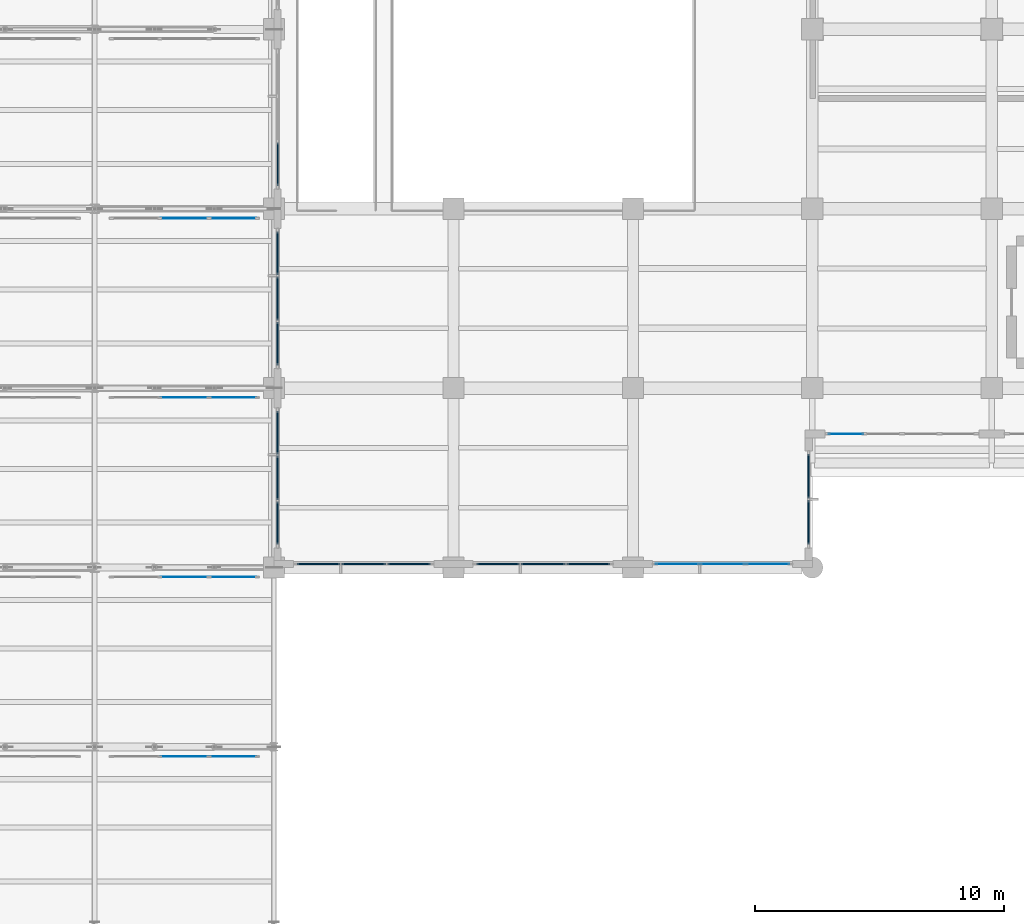
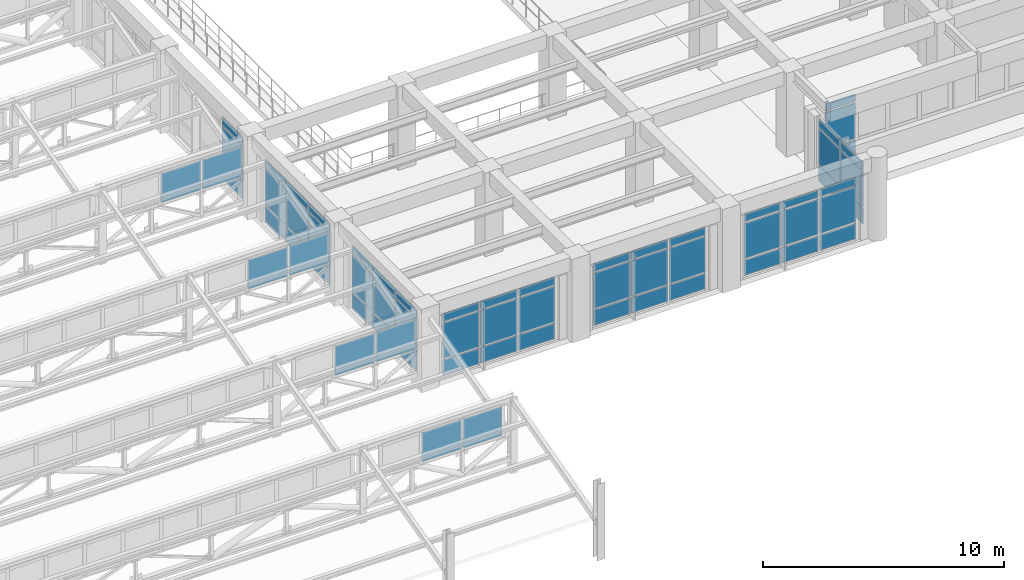
# One storey, part 65 of 98: 65 plates, 12 elements without a shape of their own.
"""IFC4 building model written with IfcOpenShell, lengths in metres."""

import ifcopenshell
import ifcopenshell.guid

model = None  # the IFC model being written
_history = None  # IfcOwnerHistory: only IFC2X3 demands one
_inside = {}  # id of a spatial element -> (the spatial element, [elements in it])
_under = {}  # id of a project, library or spatial element -> (it, [spatial elements below it])
_declared = {}  # id of a project -> (the project, [libraries it declares])
_typed = {}  # id of a type object -> (the type object, [elements of that type])
_made_of = {}  # id of a material, layer set ... -> (it, [elements and type objects made of it])


def new_model(schema):
    """Start an empty IFC model of exactly this schema.

    Asked for "IFC4X3", IfcOpenShell would pick the latest addendum, in which some entities
    have other attributes; the version numbers below select the first issue.
    IFC2X3 requires an IfcOwnerHistory on every rooted entity: one is made here for all.
    """
    global model, _history
    if schema == "IFC4X3":
        model = ifcopenshell.file(schema_version=(4, 3, 0, 0))
    else:
        model = ifcopenshell.file(schema=schema)
    _inside.clear()
    _under.clear()
    _declared.clear()
    _typed.clear()
    _made_of.clear()
    _history = None
    if model.schema == "IFC2X3":
        org = make("IfcOrganization", Name="unknown")
        user = make(
            "IfcPersonAndOrganization",
            ThePerson=make("IfcPerson", FamilyName="unknown"),
            TheOrganization=org,
        )
        app = make(
            "IfcApplication",
            ApplicationDeveloper=org,
            Version="unknown",
            ApplicationFullName="unknown",
            ApplicationIdentifier="unknown",
        )
        _history = make(
            "IfcOwnerHistory",
            OwningUser=user,
            OwningApplication=app,
            ChangeAction="ADDED",
            CreationDate=0,
        )
    return model


def make(cls, **values):
    """One entity of the class cls with the attributes given. An attribute that is None is left unset."""
    return model.create_entity(
        cls, **{name: value for name, value in values.items() if value is not None}
    )


def rooted(cls, **values):
    """An entity with a GlobalId (a new one), such as an element, a storey or a relation."""
    return make(cls, GlobalId=ifcopenshell.guid.new(), OwnerHistory=_history, **values)


def si_unit(unit_type, name, prefix=None):
    """IfcSIUnit, for example si_unit("LENGTHUNIT", "METRE", prefix="MILLI")."""
    return make("IfcSIUnit", UnitType=unit_type, Prefix=prefix, Name=name)


def assignment(units):
    """IfcUnitAssignment: the units of a project."""
    return None if units is None else make("IfcUnitAssignment", Units=units)


def point(xyz):
    """IfcCartesianPoint."""
    return None if xyz is None else make("IfcCartesianPoint", Coordinates=xyz)


def direction(xyz):
    """IfcDirection."""
    return None if xyz is None else make("IfcDirection", DirectionRatios=xyz)


def frame(location, z_axis=None, x_axis=None):
    """IfcAxis2Placement3D, a coordinate frame: its origin and axes. An axis left out is left unset."""
    return make(
        "IfcAxis2Placement3D",
        Location=point(location),
        Axis=direction(z_axis),
        RefDirection=direction(x_axis),
    )


def frame_2d(location, x_axis=None):
    """IfcAxis2Placement2D, a coordinate frame in the plane: its origin and x axis."""
    return make(
        "IfcAxis2Placement2D", Location=point(location), RefDirection=direction(x_axis)
    )


def origin():
    """The frame at (0, 0, 0) with its axes left unset."""
    return frame((0.0, 0.0, 0.0))


def origin_2d():
    """The frame at (0, 0) in the plane with its x axis left unset."""
    return frame_2d((0.0, 0.0))


def place(relative_to, where):
    """IfcLocalPlacement: puts the frame where relative to a parent placement (None: the world)."""
    return make(
        "IfcLocalPlacement", PlacementRelTo=relative_to, RelativePlacement=where
    )


def context(
    kind, dimensions, precision=None, world=None, true_north=None, identifier=None
):
    """IfcGeometricRepresentationContext, for example the 3D "Model" context."""
    return make(
        "IfcGeometricRepresentationContext",
        ContextIdentifier=identifier,
        ContextType=kind,
        CoordinateSpaceDimension=dimensions,
        Precision=precision,
        WorldCoordinateSystem=world,
        TrueNorth=true_north,
    )


def subcontext(parent, identifier, kind, view, scale=None):
    """IfcGeometricRepresentationSubContext, for example "Body" below "Model"."""
    return make(
        "IfcGeometricRepresentationSubContext",
        ContextIdentifier=identifier,
        ContextType=kind,
        ParentContext=parent,
        TargetScale=scale,
        TargetView=view,
    )


def project(units=None, contexts=None):
    """IfcProject with its units and contexts."""
    return rooted(
        "IfcProject",
        Name="project",
        RepresentationContexts=contexts,
        UnitsInContext=assignment(units),
    )


def spatial(cls, under=None, at=None, **own):
    """A site, building, storey or space (cls), placed at a placement, below another one or the project."""
    s = rooted(cls, ObjectPlacement=at, **own)
    if under is not None:
        _under.setdefault(under.id(), (under, []))[1].append(s)
    return s


def profile(cls, at=None, kind="AREA", **sizes):
    """A parametric profile (cls). Its sizes go by their IFC names, for example OverallWidth=200.0."""
    return make(cls, ProfileType=kind, Position=at, **sizes)


def rectangle(**sizes):
    """IfcRectangleProfileDef."""
    return profile("IfcRectangleProfileDef", **sizes)


def extrude(swept, where, along, depth):
    """IfcExtrudedAreaSolid: the profile swept, set in the frame where, extruded along a direction by depth."""
    return make(
        "IfcExtrudedAreaSolid",
        SweptArea=swept,
        Position=where,
        ExtrudedDirection=direction(along),
        Depth=depth,
    )


def shape(context_of_items, identifier, shape_type, items):
    """IfcShapeRepresentation: the items that make up one representation, for example the "Body"."""
    return make(
        "IfcShapeRepresentation",
        ContextOfItems=context_of_items,
        RepresentationIdentifier=identifier,
        RepresentationType=shape_type,
        Items=items,
    )


def material(Name=None, Category=None):
    """IfcMaterial."""
    return make("IfcMaterial", Name=Name, Category=Category)


def layer(
    of_material, thickness, ventilated=None, Name=None, Category=None, Priority=None
):
    """IfcMaterialLayer: one layer of a wall or slab, of a material (None: an air gap)."""
    return make(
        "IfcMaterialLayer",
        Material=of_material,
        LayerThickness=thickness,
        IsVentilated=ventilated,
        Name=Name,
        Category=Category,
        Priority=Priority,
    )


def layer_set(layers, Name=None):
    """IfcMaterialLayerSet."""
    return make("IfcMaterialLayerSet", MaterialLayers=layers, LayerSetName=Name)


def made_of(thing, what):
    """Note that an element or type object is made of a material, layer set ...; save() writes the relation."""
    if what is not None:
        _made_of.setdefault(what.id(), (what, []))[1].append(thing)
    return thing


def type_object(cls, material=None, **own):
    """A type object (cls), such as IfcWallType, which elements share."""
    return made_of(rooted(cls, **own), material)


def element(
    cls,
    number,
    at=None,
    inside=None,
    cuts=None,
    type_object=None,
    material=None,
    context=None,
    identifier="Body",
    shape_type=None,
    held_by="IfcProductDefinitionShape",
    body=None,
    shapes=None,
    **own,
):
    """One element of the class cls, such as IfcWall. Its Tag is "e" and its number.

    at: its placement. inside: the storey or other place that contains it. cuts: it is an
    opening in that element (IfcRelVoidsElement). A single representation is given by context,
    identifier, shape_type and body (its items); several are given by shapes. held_by: the class
    of the entity that holds the representations. save() writes the other relations.
    """
    e = rooted(cls, Tag="e%d" % number, ObjectPlacement=at, **own)
    if body is not None:
        shapes = [shape(context, identifier, shape_type, body)]
    if shapes is not None:
        e.Representation = make(held_by, Representations=shapes)
    if inside is not None:
        _inside.setdefault(inside.id(), (inside, []))[1].append(e)
    if cuts is not None:
        rooted(
            "IfcRelVoidsElement", RelatingBuildingElement=cuts, RelatedOpeningElement=e
        )
    if type_object is not None:
        _typed.setdefault(type_object.id(), (type_object, []))[1].append(e)
    return made_of(e, material)


def aggregate(whole, parts):
    """IfcRelAggregates: a whole, such as a stair, and the parts it consists of."""
    return rooted("IfcRelAggregates", RelatingObject=whole, RelatedObjects=parts)


def save(model, path):
    """Write the relations noted so far, then the file.

    IfcRelAggregates (storeys below a building ...), IfcRelContainedInSpatialStructure (elements
    in a storey), IfcRelDefinesByType, IfcRelAssociatesMaterial and IfcRelDeclares: one each for
    every whole, place, type object, material and project.
    """
    for whole, parts in _under.values():
        aggregate(whole, parts)
    for where, things in _inside.values():
        rooted(
            "IfcRelContainedInSpatialStructure",
            RelatedElements=things,
            RelatingStructure=where,
        )
    for kind, things in _typed.values():
        rooted("IfcRelDefinesByType", RelatedObjects=things, RelatingType=kind)
    for what, things in _made_of.values():
        rooted("IfcRelAssociatesMaterial", RelatedObjects=things, RelatingMaterial=what)
    for by, libraries in _declared.values():
        rooted("IfcRelDeclares", RelatingContext=by, RelatedDefinitions=libraries)
    model.write(path)


model = new_model("IFC4")

# Units and contexts
model_context = context("Model", 3, precision=1e-05, world=origin(), true_north=direction((0.0, 1.0)))
body_context = subcontext(model_context, "Body", "Model", "MODEL_VIEW")
ifc_project = project(units=[si_unit("LENGTHUNIT", "METRE"), si_unit("AREAUNIT", "SQUARE_METRE"), si_unit("VOLUMEUNIT", "CUBIC_METRE"), si_unit("PLANEANGLEUNIT", "RADIAN"), si_unit("MASSUNIT", "GRAM", prefix="KILO")], contexts=[model_context])

# Site, building, storey
site_placement = place(None, origin())
site = spatial("IfcSite", under=ifc_project, at=site_placement, CompositionType="ELEMENT")
building_placement = place(site_placement, origin())
building = spatial("IfcBuilding", under=site, at=building_placement, Name="Solenvale Faculty of Natural Sciences", CompositionType="ELEMENT")
storey_placement = place(building_placement, frame((0.0, 0.0, 9.0)))
storey = spatial("IfcBuildingStorey", under=building, at=storey_placement, Name="L02", CompositionType="ELEMENT", Elevation=9.0)

# Curtain wall, plates
ifc_material_1 = material(Name="Anodised bronze aluminium", Category="aluminium")
ifc_layer_1 = layer(ifc_material_1, 0.1650390625)
ifc_layer_set_1 = layer_set([ifc_layer_1], Name="Anodised bronze aluminium")
curtain_wall_type_1 = type_object("IfcCurtainWallType", Name="CW-SAW-CLR", PredefinedType="USERDEFINED", material=ifc_layer_set_1)
curtain_wall_1_placement = place(storey_placement, origin())
curtain_wall_1 = element("IfcCurtainWall", 1, at=curtain_wall_1_placement, inside=storey, type_object=curtain_wall_type_1, Name="L02 Curtain Wall SAW-V1-CW-1-2", ObjectType="NORTH LIGHT CLERESTORY", PredefinedType="USERDEFINED")
ifc_material_2 = material(Name="North-light skylight glass", Category="glass")
ifc_layer_2 = layer(ifc_material_2, 0.028076171875)
ifc_layer_set_2 = layer_set([ifc_layer_2], Name="North-light skylight glass")
plate_type_1 = type_object("IfcPlateType", Name="CWP-PNL-28", PredefinedType="CURTAIN_PANEL", material=ifc_layer_set_2)
plate_1_placement = place(storey_placement, frame((34.357177734375, 6.820068359375, 2.294921875), z_axis=(0.0, 0.0, 1.0), x_axis=(-1.0, 0.0, 0.0)))
plate_1 = element("IfcPlate", 2, at=plate_1_placement, type_object=plate_type_1, Name="CW-05 panel 1.1", PredefinedType="CURTAIN_PANEL", context=body_context, shape_type="SweptSolid", body=[
    extrude(rectangle(XDim=1.875732421875, YDim=0.028076171875, at=origin_2d()), origin(), (0.0, 0.0, 1.0), 1.47998046875),
])
plate_2_placement = place(storey_placement, frame((32.39990234375, 6.820068359375, 2.294921875), z_axis=(0.0, 0.0, 1.0), x_axis=(-1.0, 0.0, 0.0)))
plate_2 = element("IfcPlate", 3, at=plate_2_placement, type_object=plate_type_1, Name="CW-05 panel 2.1", PredefinedType="CURTAIN_PANEL", context=body_context, shape_type="SweptSolid", body=[
    extrude(rectangle(XDim=1.908447265625, YDim=0.028076171875, at=origin_2d()), origin(), (0.0, 0.0, 1.0), 1.47998046875),
])
aggregate(curtain_wall_1, [plate_1, plate_2])

curtain_wall_2_placement = place(storey_placement, origin())
curtain_wall_2 = element("IfcCurtainWall", 4, at=curtain_wall_2_placement, inside=storey, type_object=curtain_wall_type_1, Name="L02 Curtain Wall SAW-V1-CW-2-2", ObjectType="NORTH LIGHT CLERESTORY", PredefinedType="USERDEFINED")
plate_3_placement = place(storey_placement, frame((34.357177734375, 14.02001953125, 2.294921875), z_axis=(0.0, 0.0, 1.0), x_axis=(-1.0, 0.0, 0.0)))
plate_3 = element("IfcPlate", 5, at=plate_3_placement, type_object=plate_type_1, Name="CW-05 panel 1.1", PredefinedType="CURTAIN_PANEL", context=body_context, shape_type="SweptSolid", body=[
    extrude(rectangle(XDim=1.875732421875, YDim=0.028076171875, at=origin_2d()), origin(), (0.0, 0.0, 1.0), 1.47998046875),
])
plate_4_placement = place(storey_placement, frame((32.39990234375, 14.02001953125, 2.294921875), z_axis=(0.0, 0.0, 1.0), x_axis=(-1.0, 0.0, 0.0)))
plate_4 = element("IfcPlate", 6, at=plate_4_placement, type_object=plate_type_1, Name="CW-05 panel 2.1", PredefinedType="CURTAIN_PANEL", context=body_context, shape_type="SweptSolid", body=[
    extrude(rectangle(XDim=1.908447265625, YDim=0.028076171875, at=origin_2d()), origin(), (0.0, 0.0, 1.0), 1.47998046875),
])
aggregate(curtain_wall_2, [plate_3, plate_4])

curtain_wall_3_placement = place(storey_placement, origin())
curtain_wall_3 = element("IfcCurtainWall", 7, at=curtain_wall_3_placement, inside=storey, type_object=curtain_wall_type_1, Name="L02 Curtain Wall SAW-V1-CW-3-2", ObjectType="NORTH LIGHT CLERESTORY", PredefinedType="USERDEFINED")
plate_5_placement = place(storey_placement, frame((34.357177734375, 21.219970703125, 2.294921875), z_axis=(0.0, 0.0, 1.0), x_axis=(-1.0, 0.0, 0.0)))
plate_5 = element("IfcPlate", 8, at=plate_5_placement, type_object=plate_type_1, Name="CW-05 panel 1.1", PredefinedType="CURTAIN_PANEL", context=body_context, shape_type="SweptSolid", body=[
    extrude(rectangle(XDim=1.875732421875, YDim=0.028076171875, at=origin_2d()), origin(), (0.0, 0.0, 1.0), 1.47998046875),
])
plate_6_placement = place(storey_placement, frame((32.39990234375, 21.219970703125, 2.294921875), z_axis=(0.0, 0.0, 1.0), x_axis=(-1.0, 0.0, 0.0)))
plate_6 = element("IfcPlate", 9, at=plate_6_placement, type_object=plate_type_1, Name="CW-05 panel 2.1", PredefinedType="CURTAIN_PANEL", context=body_context, shape_type="SweptSolid", body=[
    extrude(rectangle(XDim=1.908447265625, YDim=0.028076171875, at=origin_2d()), origin(), (0.0, 0.0, 1.0), 1.47998046875),
])
aggregate(curtain_wall_3, [plate_5, plate_6])

curtain_wall_4_placement = place(storey_placement, origin())
curtain_wall_4 = element("IfcCurtainWall", 10, at=curtain_wall_4_placement, inside=storey, type_object=curtain_wall_type_1, Name="L02 Curtain Wall SAW-V1-CW-4-2", ObjectType="NORTH LIGHT CLERESTORY", PredefinedType="USERDEFINED")
plate_7_placement = place(storey_placement, frame((34.357177734375, 28.419921875, 2.294921875), z_axis=(0.0, 0.0, 1.0), x_axis=(-1.0, 0.0, 0.0)))
plate_7 = element("IfcPlate", 11, at=plate_7_placement, type_object=plate_type_1, Name="CW-05 panel 1.1", PredefinedType="CURTAIN_PANEL", context=body_context, shape_type="SweptSolid", body=[
    extrude(rectangle(XDim=1.875732421875, YDim=0.028076171875, at=origin_2d()), origin(), (0.0, 0.0, 1.0), 1.47998046875),
])
plate_8_placement = place(storey_placement, frame((32.39990234375, 28.419921875, 2.294921875), z_axis=(0.0, 0.0, 1.0), x_axis=(-1.0, 0.0, 0.0)))
plate_8 = element("IfcPlate", 12, at=plate_8_placement, type_object=plate_type_1, Name="CW-05 panel 2.1", PredefinedType="CURTAIN_PANEL", context=body_context, shape_type="SweptSolid", body=[
    extrude(rectangle(XDim=1.908447265625, YDim=0.028076171875, at=origin_2d()), origin(), (0.0, 0.0, 1.0), 1.47998046875),
])
aggregate(curtain_wall_4, [plate_7, plate_8])

ifc_layer_3 = layer(ifc_material_1, 0.215087890625)
ifc_layer_set_3 = layer_set([ifc_layer_3], Name="Anodised bronze aluminium")
curtain_wall_type_2 = type_object("IfcCurtainWallType", Name="CW-ATR-UNIT", PredefinedType="USERDEFINED", material=ifc_layer_set_3)
curtain_wall_5_placement = place(storey_placement, origin())
curtain_wall_5 = element("IfcCurtainWall", 13, at=curtain_wall_5_placement, inside=storey, type_object=curtain_wall_type_2, Name="L02 Curtain Wall CW-L02-P1-E10-B3", ObjectType="UNITISED CURTAIN WALL", PredefinedType="USERDEFINED")
plate_9_placement = place(storey_placement, frame((52.185302734375, 14.54248046875, 0.074951171875), z_axis=(0.0, 0.0, 1.0), x_axis=(1.0, 0.0, 0.0)))
plate_9 = element("IfcPlate", 14, at=plate_9_placement, type_object=plate_type_1, Name="CW-01 panel 1.1", PredefinedType="CURTAIN_PANEL", context=body_context, shape_type="SweptSolid", body=[
    extrude(rectangle(XDim=1.720947265625, YDim=0.028076171875, at=origin_2d()), origin(), (0.0, 0.0, 1.0), 0.78759765625),
])
plate_10_placement = place(storey_placement, frame((52.185302734375, 14.54248046875, 0.9375), z_axis=(0.0, 0.0, 1.0), x_axis=(1.0, 0.0, 0.0)))
plate_10 = element("IfcPlate", 15, at=plate_10_placement, type_object=plate_type_1, Name="CW-01 panel 1.2", PredefinedType="CURTAIN_PANEL", context=body_context, shape_type="SweptSolid", body=[
    extrude(rectangle(XDim=1.720947265625, YDim=0.028076171875, at=origin_2d()), origin(), (0.0, 0.0, 1.0), 1.784912109375),
])
plate_11_placement = place(storey_placement, frame((52.185302734375, 14.54248046875, 2.79736328125), z_axis=(0.0, 0.0, 1.0), x_axis=(1.0, 0.0, 0.0)))
plate_11 = element("IfcPlate", 16, at=plate_11_placement, type_object=plate_type_1, Name="CW-01 panel 1.3", PredefinedType="CURTAIN_PANEL", context=body_context, shape_type="SweptSolid", body=[
    extrude(rectangle(XDim=1.720947265625, YDim=0.028076171875, at=origin_2d()), origin(), (0.0, 0.0, 1.0), 0.387451171875),
])
plate_12_placement = place(storey_placement, frame((54.0, 14.54248046875, 0.074951171875), z_axis=(0.0, 0.0, 1.0), x_axis=(1.0, 0.0, 0.0)))
plate_12 = element("IfcPlate", 17, at=plate_12_placement, type_object=plate_type_1, Name="CW-01 panel 2.1", PredefinedType="CURTAIN_PANEL", context=body_context, shape_type="SweptSolid", body=[
    extrude(rectangle(XDim=1.75830078125, YDim=0.028076171875, at=origin_2d()), origin(), (0.0, 0.0, 1.0), 0.78759765625),
])
plate_13_placement = place(storey_placement, frame((54.0, 14.54248046875, 0.9375), z_axis=(0.0, 0.0, 1.0), x_axis=(1.0, 0.0, 0.0)))
plate_13 = element("IfcPlate", 18, at=plate_13_placement, type_object=plate_type_1, Name="CW-01 panel 2.2", PredefinedType="CURTAIN_PANEL", context=body_context, shape_type="SweptSolid", body=[
    extrude(rectangle(XDim=1.75830078125, YDim=0.028076171875, at=origin_2d()), origin(), (0.0, 0.0, 1.0), 1.784912109375),
])
plate_14_placement = place(storey_placement, frame((54.0, 14.54248046875, 2.79736328125), z_axis=(0.0, 0.0, 1.0), x_axis=(1.0, 0.0, 0.0)))
plate_14 = element("IfcPlate", 19, at=plate_14_placement, type_object=plate_type_1, Name="CW-01 panel 2.3", PredefinedType="CURTAIN_PANEL", context=body_context, shape_type="SweptSolid", body=[
    extrude(rectangle(XDim=1.75830078125, YDim=0.028076171875, at=origin_2d()), origin(), (0.0, 0.0, 1.0), 0.387451171875),
])
plate_15_placement = place(storey_placement, frame((55.814697265625, 14.54248046875, 0.074951171875), z_axis=(0.0, 0.0, 1.0), x_axis=(1.0, 0.0, 0.0)))
plate_15 = element("IfcPlate", 20, at=plate_15_placement, type_object=plate_type_1, Name="CW-01 panel 3.1", PredefinedType="CURTAIN_PANEL", context=body_context, shape_type="SweptSolid", body=[
    extrude(rectangle(XDim=1.720947265625, YDim=0.028076171875, at=origin_2d()), origin(), (0.0, 0.0, 1.0), 0.78759765625),
])
plate_16_placement = place(storey_placement, frame((55.814697265625, 14.54248046875, 0.9375), z_axis=(0.0, 0.0, 1.0), x_axis=(1.0, 0.0, 0.0)))
plate_16 = element("IfcPlate", 21, at=plate_16_placement, type_object=plate_type_1, Name="CW-01 panel 3.2", PredefinedType="CURTAIN_PANEL", context=body_context, shape_type="SweptSolid", body=[
    extrude(rectangle(XDim=1.720947265625, YDim=0.028076171875, at=origin_2d()), origin(), (0.0, 0.0, 1.0), 1.784912109375),
])
plate_17_placement = place(storey_placement, frame((55.814697265625, 14.54248046875, 2.79736328125), z_axis=(0.0, 0.0, 1.0), x_axis=(1.0, 0.0, 0.0)))
plate_17 = element("IfcPlate", 22, at=plate_17_placement, type_object=plate_type_1, Name="CW-01 panel 3.3", PredefinedType="CURTAIN_PANEL", context=body_context, shape_type="SweptSolid", body=[
    extrude(rectangle(XDim=1.720947265625, YDim=0.028076171875, at=origin_2d()), origin(), (0.0, 0.0, 1.0), 0.387451171875),
])
aggregate(curtain_wall_5, [plate_9, plate_10, plate_11, plate_12, plate_13, plate_14, plate_15, plate_16, plate_17])

ifc_layer_4 = layer(ifc_material_1, 0.18994140625)
ifc_layer_set_4 = layer_set([ifc_layer_4], Name="Anodised bronze aluminium")
curtain_wall_type_3 = type_object("IfcCurtainWallType", Name="CW-TRAY-REC", PredefinedType="USERDEFINED", material=ifc_layer_set_4)
curtain_wall_6_placement = place(storey_placement, origin())
curtain_wall_6 = element("IfcCurtainWall", 23, at=curtain_wall_6_placement, inside=storey, type_object=curtain_wall_type_3, Name="L02 Curtain Wall CW-L02-P1-E12-B1", ObjectType="UNITISED CURTAIN WALL", PredefinedType="USERDEFINED")
plate_18_placement = place(storey_placement, frame((58.953857421875, 19.762451171875, 0.074951171875), z_axis=(0.0, 0.0, 1.0), x_axis=(1.0, 0.0, 0.0)))
plate_18 = element("IfcPlate", 24, at=plate_18_placement, type_object=plate_type_1, Name="CW-02 panel 1.1", PredefinedType="CURTAIN_PANEL", context=body_context, shape_type="SweptSolid", body=[
    extrude(rectangle(XDim=1.3974609375, YDim=0.028076171875, at=origin_2d()), origin(), (0.0, 0.0, 1.0), 0.78759765625),
])
plate_19_placement = place(storey_placement, frame((58.953857421875, 19.762451171875, 0.9375), z_axis=(0.0, 0.0, 1.0), x_axis=(1.0, 0.0, 0.0)))
plate_19 = element("IfcPlate", 25, at=plate_19_placement, type_object=plate_type_1, Name="CW-02 panel 1.2", PredefinedType="CURTAIN_PANEL", context=body_context, shape_type="SweptSolid", body=[
    extrude(rectangle(XDim=1.3974609375, YDim=0.028076171875, at=origin_2d()), origin(), (0.0, 0.0, 1.0), 1.784912109375),
])
plate_20_placement = place(storey_placement, frame((58.953857421875, 19.762451171875, 2.79736328125), z_axis=(0.0, 0.0, 1.0), x_axis=(1.0, 0.0, 0.0)))
plate_20 = element("IfcPlate", 26, at=plate_20_placement, type_object=plate_type_1, Name="CW-02 panel 1.3", PredefinedType="CURTAIN_PANEL", context=body_context, shape_type="SweptSolid", body=[
    extrude(rectangle(XDim=1.3974609375, YDim=0.028076171875, at=origin_2d()), origin(), (0.0, 0.0, 1.0), 0.387451171875),
])
aggregate(curtain_wall_6, [plate_18, plate_19, plate_20])

curtain_wall_7_placement = place(storey_placement, origin())
curtain_wall_7 = element("IfcCurtainWall", 27, at=curtain_wall_7_placement, inside=storey, type_object=curtain_wall_type_2, Name="L02 Curtain Wall CW-L02-P1-E9-B9", ObjectType="UNITISED CURTAIN WALL", PredefinedType="USERDEFINED")
ifc_layer_5 = layer(ifc_material_1, 0.048095703125)
ifc_layer_set_5 = layer_set([ifc_layer_5], Name="Anodised bronze aluminium")
plate_type_2 = type_object("IfcPlateType", Name="CWP-PNL-48", PredefinedType="CURTAIN_PANEL", material=ifc_layer_set_5)
plate_21_placement = place(storey_placement, frame((36.142578125, 30.58544921875, 0.074951171875), z_axis=(0.0, 0.0, 1.0), x_axis=(0.0, -1.0, 0.0)))
plate_21 = element("IfcPlate", 28, at=plate_21_placement, type_object=plate_type_2, Name="CW-01 panel 3.1", PredefinedType="CURTAIN_PANEL", context=body_context, shape_type="SweptSolid", body=[
    extrude(rectangle(XDim=1.720947265625, YDim=0.048095703125, at=origin_2d()), origin(), (0.0, 0.0, 1.0), 0.78759765625),
])
plate_22_placement = place(storey_placement, frame((36.142578125, 30.58544921875, 0.9375), z_axis=(0.0, 0.0, 1.0), x_axis=(0.0, -1.0, 0.0)))
plate_22 = element("IfcPlate", 29, at=plate_22_placement, type_object=plate_type_2, Name="CW-01 panel 3.2", PredefinedType="CURTAIN_PANEL", context=body_context, shape_type="SweptSolid", body=[
    extrude(rectangle(XDim=1.720947265625, YDim=0.048095703125, at=origin_2d()), origin(), (0.0, 0.0, 1.0), 1.784912109375),
])
plate_23_placement = place(storey_placement, frame((36.142578125, 30.58544921875, 2.79736328125), z_axis=(0.0, 0.0, 1.0), x_axis=(0.0, -1.0, 0.0)))
plate_23 = element("IfcPlate", 30, at=plate_23_placement, type_object=plate_type_2, Name="CW-01 panel 3.3", PredefinedType="CURTAIN_PANEL", context=body_context, shape_type="SweptSolid", body=[
    extrude(rectangle(XDim=1.720947265625, YDim=0.048095703125, at=origin_2d()), origin(), (0.0, 0.0, 1.0), 0.387451171875),
])
aggregate(curtain_wall_7, [plate_21, plate_22, plate_23])

curtain_wall_8_placement = place(storey_placement, origin())
curtain_wall_8 = element("IfcCurtainWall", 31, at=curtain_wall_8_placement, inside=storey, type_object=curtain_wall_type_2, Name="L02 Curtain Wall CW-L02-P1-E9-B10", ObjectType="UNITISED CURTAIN WALL", PredefinedType="USERDEFINED")
ifc_layer_6 = layer(ifc_material_1, 0.053955078125)
ifc_layer_set_6 = layer_set([ifc_layer_6], Name="Anodised bronze aluminium")
plate_type_3 = type_object("IfcPlateType", Name="CWP-PNL-54", PredefinedType="CURTAIN_PANEL", material=ifc_layer_set_6)
plate_24_placement = place(storey_placement, frame((36.142578125, 27.0146484375, 0.074951171875), z_axis=(0.0, 0.0, 1.0), x_axis=(0.0, -1.0, 0.0)))
plate_24 = element("IfcPlate", 32, at=plate_24_placement, type_object=plate_type_3, Name="CW-01 panel 1.1", PredefinedType="CURTAIN_PANEL", context=body_context, shape_type="SweptSolid", body=[
    extrude(rectangle(XDim=1.720947265625, YDim=0.053955078125, at=origin_2d()), origin(), (0.0, 0.0, 1.0), 0.78759765625),
])
plate_25_placement = place(storey_placement, frame((36.142578125, 27.0146484375, 0.9375), z_axis=(0.0, 0.0, 1.0), x_axis=(0.0, -1.0, 0.0)))
plate_25 = element("IfcPlate", 33, at=plate_25_placement, type_object=plate_type_3, Name="CW-01 panel 1.2", PredefinedType="CURTAIN_PANEL", context=body_context, shape_type="SweptSolid", body=[
    extrude(rectangle(XDim=1.720947265625, YDim=0.053955078125, at=origin_2d()), origin(), (0.0, 0.0, 1.0), 1.784912109375),
])
plate_26_placement = place(storey_placement, frame((36.142578125, 27.0146484375, 2.79736328125), z_axis=(0.0, 0.0, 1.0), x_axis=(0.0, -1.0, 0.0)))
plate_26 = element("IfcPlate", 34, at=plate_26_placement, type_object=plate_type_3, Name="CW-01 panel 1.3", PredefinedType="CURTAIN_PANEL", context=body_context, shape_type="SweptSolid", body=[
    extrude(rectangle(XDim=1.720947265625, YDim=0.053955078125, at=origin_2d()), origin(), (0.0, 0.0, 1.0), 0.387451171875),
])
plate_27_placement = place(storey_placement, frame((36.142578125, 25.199951171875, 0.074951171875), z_axis=(0.0, 0.0, 1.0), x_axis=(0.0, -1.0, 0.0)))
plate_27 = element("IfcPlate", 35, at=plate_27_placement, type_object=plate_type_3, Name="CW-01 panel 2.1", PredefinedType="CURTAIN_PANEL", context=body_context, shape_type="SweptSolid", body=[
    extrude(rectangle(XDim=1.75830078125, YDim=0.053955078125, at=origin_2d()), origin(), (0.0, 0.0, 1.0), 0.78759765625),
])
plate_28_placement = place(storey_placement, frame((36.142578125, 25.199951171875, 0.9375), z_axis=(0.0, 0.0, 1.0), x_axis=(0.0, -1.0, 0.0)))
plate_28 = element("IfcPlate", 36, at=plate_28_placement, type_object=plate_type_3, Name="CW-01 panel 2.2", PredefinedType="CURTAIN_PANEL", context=body_context, shape_type="SweptSolid", body=[
    extrude(rectangle(XDim=1.75830078125, YDim=0.053955078125, at=origin_2d()), origin(), (0.0, 0.0, 1.0), 1.784912109375),
])
plate_29_placement = place(storey_placement, frame((36.142578125, 25.199951171875, 2.79736328125), z_axis=(0.0, 0.0, 1.0), x_axis=(0.0, -1.0, 0.0)))
plate_29 = element("IfcPlate", 37, at=plate_29_placement, type_object=plate_type_3, Name="CW-01 panel 2.3", PredefinedType="CURTAIN_PANEL", context=body_context, shape_type="SweptSolid", body=[
    extrude(rectangle(XDim=1.75830078125, YDim=0.053955078125, at=origin_2d()), origin(), (0.0, 0.0, 1.0), 0.387451171875),
])
plate_30_placement = place(storey_placement, frame((36.142578125, 23.385498046875, 0.074951171875), z_axis=(0.0, 0.0, 1.0), x_axis=(0.0, -1.0, 0.0)))
plate_30 = element("IfcPlate", 38, at=plate_30_placement, type_object=plate_type_3, Name="CW-01 panel 3.1", PredefinedType="CURTAIN_PANEL", context=body_context, shape_type="SweptSolid", body=[
    extrude(rectangle(XDim=1.720947265625, YDim=0.053955078125, at=origin_2d()), origin(), (0.0, 0.0, 1.0), 0.78759765625),
])
plate_31_placement = place(storey_placement, frame((36.142578125, 23.385498046875, 0.9375), z_axis=(0.0, 0.0, 1.0), x_axis=(0.0, -1.0, 0.0)))
plate_31 = element("IfcPlate", 39, at=plate_31_placement, type_object=plate_type_3, Name="CW-01 panel 3.2", PredefinedType="CURTAIN_PANEL", context=body_context, shape_type="SweptSolid", body=[
    extrude(rectangle(XDim=1.720947265625, YDim=0.053955078125, at=origin_2d()), origin(), (0.0, 0.0, 1.0), 1.784912109375),
])
plate_32_placement = place(storey_placement, frame((36.142578125, 23.385498046875, 2.79736328125), z_axis=(0.0, 0.0, 1.0), x_axis=(0.0, -1.0, 0.0)))
plate_32 = element("IfcPlate", 40, at=plate_32_placement, type_object=plate_type_3, Name="CW-01 panel 3.3", PredefinedType="CURTAIN_PANEL", context=body_context, shape_type="SweptSolid", body=[
    extrude(rectangle(XDim=1.720947265625, YDim=0.053955078125, at=origin_2d()), origin(), (0.0, 0.0, 1.0), 0.387451171875),
])
aggregate(curtain_wall_8, [plate_24, plate_25, plate_26, plate_27, plate_28, plate_29, plate_30, plate_31, plate_32])

curtain_wall_9_placement = place(storey_placement, origin())
curtain_wall_9 = element("IfcCurtainWall", 41, at=curtain_wall_9_placement, inside=storey, type_object=curtain_wall_type_2, Name="L02 Curtain Wall CW-L02-P1-E10-B1", ObjectType="UNITISED CURTAIN WALL", PredefinedType="USERDEFINED")
plate_33_placement = place(storey_placement, frame((37.785400390625, 14.54248046875, 0.074951171875), z_axis=(0.0, 0.0, 1.0), x_axis=(1.0, 0.0, 0.0)))
plate_33 = element("IfcPlate", 42, at=plate_33_placement, type_object=plate_type_3, Name="CW-01 panel 1.1", PredefinedType="CURTAIN_PANEL", context=body_context, shape_type="SweptSolid", body=[
    extrude(rectangle(XDim=1.720947265625, YDim=0.053955078125, at=origin_2d()), origin(), (0.0, 0.0, 1.0), 0.78759765625),
])
plate_34_placement = place(storey_placement, frame((37.785400390625, 14.54248046875, 0.9375), z_axis=(0.0, 0.0, 1.0), x_axis=(1.0, 0.0, 0.0)))
plate_34 = element("IfcPlate", 43, at=plate_34_placement, type_object=plate_type_3, Name="CW-01 panel 1.2", PredefinedType="CURTAIN_PANEL", context=body_context, shape_type="SweptSolid", body=[
    extrude(rectangle(XDim=1.720947265625, YDim=0.053955078125, at=origin_2d()), origin(), (0.0, 0.0, 1.0), 1.784912109375),
])
plate_35_placement = place(storey_placement, frame((37.785400390625, 14.54248046875, 2.79736328125), z_axis=(0.0, 0.0, 1.0), x_axis=(1.0, 0.0, 0.0)))
plate_35 = element("IfcPlate", 44, at=plate_35_placement, type_object=plate_type_3, Name="CW-01 panel 1.3", PredefinedType="CURTAIN_PANEL", context=body_context, shape_type="SweptSolid", body=[
    extrude(rectangle(XDim=1.720947265625, YDim=0.053955078125, at=origin_2d()), origin(), (0.0, 0.0, 1.0), 0.387451171875),
])
plate_36_placement = place(storey_placement, frame((39.60009765625, 14.54248046875, 0.074951171875), z_axis=(0.0, 0.0, 1.0), x_axis=(1.0, 0.0, 0.0)))
plate_36 = element("IfcPlate", 45, at=plate_36_placement, type_object=plate_type_3, Name="CW-01 panel 2.1", PredefinedType="CURTAIN_PANEL", context=body_context, shape_type="SweptSolid", body=[
    extrude(rectangle(XDim=1.75830078125, YDim=0.053955078125, at=origin_2d()), origin(), (0.0, 0.0, 1.0), 0.78759765625),
])
plate_37_placement = place(storey_placement, frame((39.60009765625, 14.54248046875, 0.9375), z_axis=(0.0, 0.0, 1.0), x_axis=(1.0, 0.0, 0.0)))
plate_37 = element("IfcPlate", 46, at=plate_37_placement, type_object=plate_type_3, Name="CW-01 panel 2.2", PredefinedType="CURTAIN_PANEL", context=body_context, shape_type="SweptSolid", body=[
    extrude(rectangle(XDim=1.75830078125, YDim=0.053955078125, at=origin_2d()), origin(), (0.0, 0.0, 1.0), 1.784912109375),
])
plate_38_placement = place(storey_placement, frame((39.60009765625, 14.54248046875, 2.79736328125), z_axis=(0.0, 0.0, 1.0), x_axis=(1.0, 0.0, 0.0)))
plate_38 = element("IfcPlate", 47, at=plate_38_placement, type_object=plate_type_3, Name="CW-01 panel 2.3", PredefinedType="CURTAIN_PANEL", context=body_context, shape_type="SweptSolid", body=[
    extrude(rectangle(XDim=1.75830078125, YDim=0.053955078125, at=origin_2d()), origin(), (0.0, 0.0, 1.0), 0.387451171875),
])
plate_39_placement = place(storey_placement, frame((41.41455078125, 14.54248046875, 0.074951171875), z_axis=(0.0, 0.0, 1.0), x_axis=(1.0, 0.0, 0.0)))
plate_39 = element("IfcPlate", 48, at=plate_39_placement, type_object=plate_type_3, Name="CW-01 panel 3.1", PredefinedType="CURTAIN_PANEL", context=body_context, shape_type="SweptSolid", body=[
    extrude(rectangle(XDim=1.720947265625, YDim=0.053955078125, at=origin_2d()), origin(), (0.0, 0.0, 1.0), 0.78759765625),
])
plate_40_placement = place(storey_placement, frame((41.41455078125, 14.54248046875, 0.9375), z_axis=(0.0, 0.0, 1.0), x_axis=(1.0, 0.0, 0.0)))
plate_40 = element("IfcPlate", 49, at=plate_40_placement, type_object=plate_type_3, Name="CW-01 panel 3.2", PredefinedType="CURTAIN_PANEL", context=body_context, shape_type="SweptSolid", body=[
    extrude(rectangle(XDim=1.720947265625, YDim=0.053955078125, at=origin_2d()), origin(), (0.0, 0.0, 1.0), 1.784912109375),
])
plate_41_placement = place(storey_placement, frame((41.41455078125, 14.54248046875, 2.79736328125), z_axis=(0.0, 0.0, 1.0), x_axis=(1.0, 0.0, 0.0)))
plate_41 = element("IfcPlate", 50, at=plate_41_placement, type_object=plate_type_3, Name="CW-01 panel 3.3", PredefinedType="CURTAIN_PANEL", context=body_context, shape_type="SweptSolid", body=[
    extrude(rectangle(XDim=1.720947265625, YDim=0.053955078125, at=origin_2d()), origin(), (0.0, 0.0, 1.0), 0.387451171875),
])
aggregate(curtain_wall_9, [plate_33, plate_34, plate_35, plate_36, plate_37, plate_38, plate_39, plate_40, plate_41])

curtain_wall_10_placement = place(storey_placement, origin())
curtain_wall_10 = element("IfcCurtainWall", 51, at=curtain_wall_10_placement, inside=storey, type_object=curtain_wall_type_2, Name="L02 Curtain Wall CW-L02-P1-E9-B11", ObjectType="UNITISED CURTAIN WALL", PredefinedType="USERDEFINED")
ifc_layer_7 = layer(ifc_material_1, 0.06005859375)
ifc_layer_set_7 = layer_set([ifc_layer_7], Name="Anodised bronze aluminium")
plate_type_4 = type_object("IfcPlateType", Name="CWP-PNL-60", PredefinedType="CURTAIN_PANEL", material=ifc_layer_set_7)
plate_42_placement = place(storey_placement, frame((36.142578125, 19.814697265625, 0.074951171875), z_axis=(0.0, 0.0, 1.0), x_axis=(0.0, -1.0, 0.0)))
plate_42 = element("IfcPlate", 52, at=plate_42_placement, type_object=plate_type_4, Name="CW-01 panel 1.1", PredefinedType="CURTAIN_PANEL", context=body_context, shape_type="SweptSolid", body=[
    extrude(rectangle(XDim=1.720947265625, YDim=0.06005859375, at=origin_2d()), origin(), (0.0, 0.0, 1.0), 0.78759765625),
])
plate_43_placement = place(storey_placement, frame((36.142578125, 19.814697265625, 0.9375), z_axis=(0.0, 0.0, 1.0), x_axis=(0.0, -1.0, 0.0)))
plate_43 = element("IfcPlate", 53, at=plate_43_placement, type_object=plate_type_4, Name="CW-01 panel 1.2", PredefinedType="CURTAIN_PANEL", context=body_context, shape_type="SweptSolid", body=[
    extrude(rectangle(XDim=1.720947265625, YDim=0.06005859375, at=origin_2d()), origin(), (0.0, 0.0, 1.0), 1.784912109375),
])
plate_44_placement = place(storey_placement, frame((36.142578125, 19.814697265625, 2.79736328125), z_axis=(0.0, 0.0, 1.0), x_axis=(0.0, -1.0, 0.0)))
plate_44 = element("IfcPlate", 54, at=plate_44_placement, type_object=plate_type_4, Name="CW-01 panel 1.3", PredefinedType="CURTAIN_PANEL", context=body_context, shape_type="SweptSolid", body=[
    extrude(rectangle(XDim=1.720947265625, YDim=0.06005859375, at=origin_2d()), origin(), (0.0, 0.0, 1.0), 0.387451171875),
])
plate_45_placement = place(storey_placement, frame((36.142578125, 18.0, 0.074951171875), z_axis=(0.0, 0.0, 1.0), x_axis=(0.0, -1.0, 0.0)))
plate_45 = element("IfcPlate", 55, at=plate_45_placement, type_object=plate_type_4, Name="CW-01 panel 2.1", PredefinedType="CURTAIN_PANEL", context=body_context, shape_type="SweptSolid", body=[
    extrude(rectangle(XDim=1.75830078125, YDim=0.06005859375, at=origin_2d()), origin(), (0.0, 0.0, 1.0), 0.78759765625),
])
plate_46_placement = place(storey_placement, frame((36.142578125, 18.0, 0.9375), z_axis=(0.0, 0.0, 1.0), x_axis=(0.0, -1.0, 0.0)))
plate_46 = element("IfcPlate", 56, at=plate_46_placement, type_object=plate_type_4, Name="CW-01 panel 2.2", PredefinedType="CURTAIN_PANEL", context=body_context, shape_type="SweptSolid", body=[
    extrude(rectangle(XDim=1.75830078125, YDim=0.06005859375, at=origin_2d()), origin(), (0.0, 0.0, 1.0), 1.784912109375),
])
plate_47_placement = place(storey_placement, frame((36.142578125, 18.0, 2.79736328125), z_axis=(0.0, 0.0, 1.0), x_axis=(0.0, -1.0, 0.0)))
plate_47 = element("IfcPlate", 57, at=plate_47_placement, type_object=plate_type_4, Name="CW-01 panel 2.3", PredefinedType="CURTAIN_PANEL", context=body_context, shape_type="SweptSolid", body=[
    extrude(rectangle(XDim=1.75830078125, YDim=0.06005859375, at=origin_2d()), origin(), (0.0, 0.0, 1.0), 0.387451171875),
])
plate_48_placement = place(storey_placement, frame((36.142578125, 16.185302734375, 0.074951171875), z_axis=(0.0, 0.0, 1.0), x_axis=(0.0, -1.0, 0.0)))
plate_48 = element("IfcPlate", 58, at=plate_48_placement, type_object=plate_type_4, Name="CW-01 panel 3.1", PredefinedType="CURTAIN_PANEL", context=body_context, shape_type="SweptSolid", body=[
    extrude(rectangle(XDim=1.720947265625, YDim=0.06005859375, at=origin_2d()), origin(), (0.0, 0.0, 1.0), 0.78759765625),
])
plate_49_placement = place(storey_placement, frame((36.142578125, 16.185302734375, 0.9375), z_axis=(0.0, 0.0, 1.0), x_axis=(0.0, -1.0, 0.0)))
plate_49 = element("IfcPlate", 59, at=plate_49_placement, type_object=plate_type_4, Name="CW-01 panel 3.2", PredefinedType="CURTAIN_PANEL", context=body_context, shape_type="SweptSolid", body=[
    extrude(rectangle(XDim=1.720947265625, YDim=0.06005859375, at=origin_2d()), origin(), (0.0, 0.0, 1.0), 1.784912109375),
])
plate_50_placement = place(storey_placement, frame((36.142578125, 16.185302734375, 2.79736328125), z_axis=(0.0, 0.0, 1.0), x_axis=(0.0, -1.0, 0.0)))
plate_50 = element("IfcPlate", 60, at=plate_50_placement, type_object=plate_type_4, Name="CW-01 panel 3.3", PredefinedType="CURTAIN_PANEL", context=body_context, shape_type="SweptSolid", body=[
    extrude(rectangle(XDim=1.720947265625, YDim=0.06005859375, at=origin_2d()), origin(), (0.0, 0.0, 1.0), 0.387451171875),
])
aggregate(curtain_wall_10, [plate_42, plate_43, plate_44, plate_45, plate_46, plate_47, plate_48, plate_49, plate_50])

curtain_wall_11_placement = place(storey_placement, origin())
curtain_wall_11 = element("IfcCurtainWall", 61, at=curtain_wall_11_placement, inside=storey, type_object=curtain_wall_type_2, Name="L02 Curtain Wall CW-L02-P1-E10-B2", ObjectType="UNITISED CURTAIN WALL", PredefinedType="USERDEFINED")
plate_51_placement = place(storey_placement, frame((44.9853515625, 14.54248046875, 0.074951171875), z_axis=(0.0, 0.0, 1.0), x_axis=(1.0, 0.0, 0.0)))
plate_51 = element("IfcPlate", 62, at=plate_51_placement, type_object=plate_type_4, Name="CW-01 panel 1.1", PredefinedType="CURTAIN_PANEL", context=body_context, shape_type="SweptSolid", body=[
    extrude(rectangle(XDim=1.720947265625, YDim=0.06005859375, at=origin_2d()), origin(), (0.0, 0.0, 1.0), 0.78759765625),
])
plate_52_placement = place(storey_placement, frame((44.9853515625, 14.54248046875, 0.9375), z_axis=(0.0, 0.0, 1.0), x_axis=(1.0, 0.0, 0.0)))
plate_52 = element("IfcPlate", 63, at=plate_52_placement, type_object=plate_type_4, Name="CW-01 panel 1.2", PredefinedType="CURTAIN_PANEL", context=body_context, shape_type="SweptSolid", body=[
    extrude(rectangle(XDim=1.720947265625, YDim=0.06005859375, at=origin_2d()), origin(), (0.0, 0.0, 1.0), 1.784912109375),
])
plate_53_placement = place(storey_placement, frame((44.9853515625, 14.54248046875, 2.79736328125), z_axis=(0.0, 0.0, 1.0), x_axis=(1.0, 0.0, 0.0)))
plate_53 = element("IfcPlate", 64, at=plate_53_placement, type_object=plate_type_4, Name="CW-01 panel 1.3", PredefinedType="CURTAIN_PANEL", context=body_context, shape_type="SweptSolid", body=[
    extrude(rectangle(XDim=1.720947265625, YDim=0.06005859375, at=origin_2d()), origin(), (0.0, 0.0, 1.0), 0.387451171875),
])
plate_54_placement = place(storey_placement, frame((46.800048828125, 14.54248046875, 0.074951171875), z_axis=(0.0, 0.0, 1.0), x_axis=(1.0, 0.0, 0.0)))
plate_54 = element("IfcPlate", 65, at=plate_54_placement, type_object=plate_type_4, Name="CW-01 panel 2.1", PredefinedType="CURTAIN_PANEL", context=body_context, shape_type="SweptSolid", body=[
    extrude(rectangle(XDim=1.75830078125, YDim=0.06005859375, at=origin_2d()), origin(), (0.0, 0.0, 1.0), 0.78759765625),
])
plate_55_placement = place(storey_placement, frame((46.800048828125, 14.54248046875, 0.9375), z_axis=(0.0, 0.0, 1.0), x_axis=(1.0, 0.0, 0.0)))
plate_55 = element("IfcPlate", 66, at=plate_55_placement, type_object=plate_type_4, Name="CW-01 panel 2.2", PredefinedType="CURTAIN_PANEL", context=body_context, shape_type="SweptSolid", body=[
    extrude(rectangle(XDim=1.75830078125, YDim=0.06005859375, at=origin_2d()), origin(), (0.0, 0.0, 1.0), 1.784912109375),
])
plate_56_placement = place(storey_placement, frame((46.800048828125, 14.54248046875, 2.79736328125), z_axis=(0.0, 0.0, 1.0), x_axis=(1.0, 0.0, 0.0)))
plate_56 = element("IfcPlate", 67, at=plate_56_placement, type_object=plate_type_4, Name="CW-01 panel 2.3", PredefinedType="CURTAIN_PANEL", context=body_context, shape_type="SweptSolid", body=[
    extrude(rectangle(XDim=1.75830078125, YDim=0.06005859375, at=origin_2d()), origin(), (0.0, 0.0, 1.0), 0.387451171875),
])
plate_57_placement = place(storey_placement, frame((48.614501953125, 14.54248046875, 0.074951171875), z_axis=(0.0, 0.0, 1.0), x_axis=(1.0, 0.0, 0.0)))
plate_57 = element("IfcPlate", 68, at=plate_57_placement, type_object=plate_type_4, Name="CW-01 panel 3.1", PredefinedType="CURTAIN_PANEL", context=body_context, shape_type="SweptSolid", body=[
    extrude(rectangle(XDim=1.720947265625, YDim=0.06005859375, at=origin_2d()), origin(), (0.0, 0.0, 1.0), 0.78759765625),
])
plate_58_placement = place(storey_placement, frame((48.614501953125, 14.54248046875, 0.9375), z_axis=(0.0, 0.0, 1.0), x_axis=(1.0, 0.0, 0.0)))
plate_58 = element("IfcPlate", 69, at=plate_58_placement, type_object=plate_type_4, Name="CW-01 panel 3.2", PredefinedType="CURTAIN_PANEL", context=body_context, shape_type="SweptSolid", body=[
    extrude(rectangle(XDim=1.720947265625, YDim=0.06005859375, at=origin_2d()), origin(), (0.0, 0.0, 1.0), 1.784912109375),
])
plate_59_placement = place(storey_placement, frame((48.614501953125, 14.54248046875, 2.79736328125), z_axis=(0.0, 0.0, 1.0), x_axis=(1.0, 0.0, 0.0)))
plate_59 = element("IfcPlate", 70, at=plate_59_placement, type_object=plate_type_4, Name="CW-01 panel 3.3", PredefinedType="CURTAIN_PANEL", context=body_context, shape_type="SweptSolid", body=[
    extrude(rectangle(XDim=1.720947265625, YDim=0.06005859375, at=origin_2d()), origin(), (0.0, 0.0, 1.0), 0.387451171875),
])
aggregate(curtain_wall_11, [plate_51, plate_52, plate_53, plate_54, plate_55, plate_56, plate_57, plate_58, plate_59])

curtain_wall_12_placement = place(storey_placement, origin())
curtain_wall_12 = element("IfcCurtainWall", 71, at=curtain_wall_12_placement, inside=storey, type_object=curtain_wall_type_2, Name="L02 Curtain Wall CW-L02-P1-E11-B1", ObjectType="UNITISED CURTAIN WALL", PredefinedType="USERDEFINED")
plate_60_placement = place(storey_placement, frame((57.45751953125, 16.211181640625, 0.074951171875), z_axis=(0.0, 0.0, 1.0), x_axis=(0.0, 1.0, 0.0)))
plate_60 = element("IfcPlate", 72, at=plate_60_placement, type_object=plate_type_4, Name="CW-01 panel 1.1", PredefinedType="CURTAIN_PANEL", context=body_context, shape_type="SweptSolid", body=[
    extrude(rectangle(XDim=1.7724609375, YDim=0.06005859375, at=origin_2d()), origin(), (0.0, 0.0, 1.0), 0.78759765625),
])
plate_61_placement = place(storey_placement, frame((57.45751953125, 16.211181640625, 0.9375), z_axis=(0.0, 0.0, 1.0), x_axis=(0.0, 1.0, 0.0)))
plate_61 = element("IfcPlate", 73, at=plate_61_placement, type_object=plate_type_4, Name="CW-01 panel 1.2", PredefinedType="CURTAIN_PANEL", context=body_context, shape_type="SweptSolid", body=[
    extrude(rectangle(XDim=1.7724609375, YDim=0.06005859375, at=origin_2d()), origin(), (0.0, 0.0, 1.0), 1.784912109375),
])
plate_62_placement = place(storey_placement, frame((57.45751953125, 16.211181640625, 2.79736328125), z_axis=(0.0, 0.0, 1.0), x_axis=(0.0, 1.0, 0.0)))
plate_62 = element("IfcPlate", 74, at=plate_62_placement, type_object=plate_type_4, Name="CW-01 panel 1.3", PredefinedType="CURTAIN_PANEL", context=body_context, shape_type="SweptSolid", body=[
    extrude(rectangle(XDim=1.7724609375, YDim=0.06005859375, at=origin_2d()), origin(), (0.0, 0.0, 1.0), 0.387451171875),
])
plate_63_placement = place(storey_placement, frame((57.45751953125, 18.058837890625, 0.074951171875), z_axis=(0.0, 0.0, 1.0), x_axis=(0.0, 1.0, 0.0)))
plate_63 = element("IfcPlate", 75, at=plate_63_placement, type_object=plate_type_4, Name="CW-01 panel 2.1", PredefinedType="CURTAIN_PANEL", context=body_context, shape_type="SweptSolid", body=[
    extrude(rectangle(XDim=1.7724609375, YDim=0.06005859375, at=origin_2d()), origin(), (0.0, 0.0, 1.0), 0.78759765625),
])
plate_64_placement = place(storey_placement, frame((57.45751953125, 18.058837890625, 0.9375), z_axis=(0.0, 0.0, 1.0), x_axis=(0.0, 1.0, 0.0)))
plate_64 = element("IfcPlate", 76, at=plate_64_placement, type_object=plate_type_4, Name="CW-01 panel 2.2", PredefinedType="CURTAIN_PANEL", context=body_context, shape_type="SweptSolid", body=[
    extrude(rectangle(XDim=1.7724609375, YDim=0.06005859375, at=origin_2d()), origin(), (0.0, 0.0, 1.0), 1.784912109375),
])
plate_65_placement = place(storey_placement, frame((57.45751953125, 18.058837890625, 2.79736328125), z_axis=(0.0, 0.0, 1.0), x_axis=(0.0, 1.0, 0.0)))
plate_65 = element("IfcPlate", 77, at=plate_65_placement, type_object=plate_type_4, Name="CW-01 panel 2.3", PredefinedType="CURTAIN_PANEL", context=body_context, shape_type="SweptSolid", body=[
    extrude(rectangle(XDim=1.7724609375, YDim=0.06005859375, at=origin_2d()), origin(), (0.0, 0.0, 1.0), 0.387451171875),
])
aggregate(curtain_wall_12, [plate_60, plate_61, plate_62, plate_63, plate_64, plate_65])

save(model, "model.ifc")
